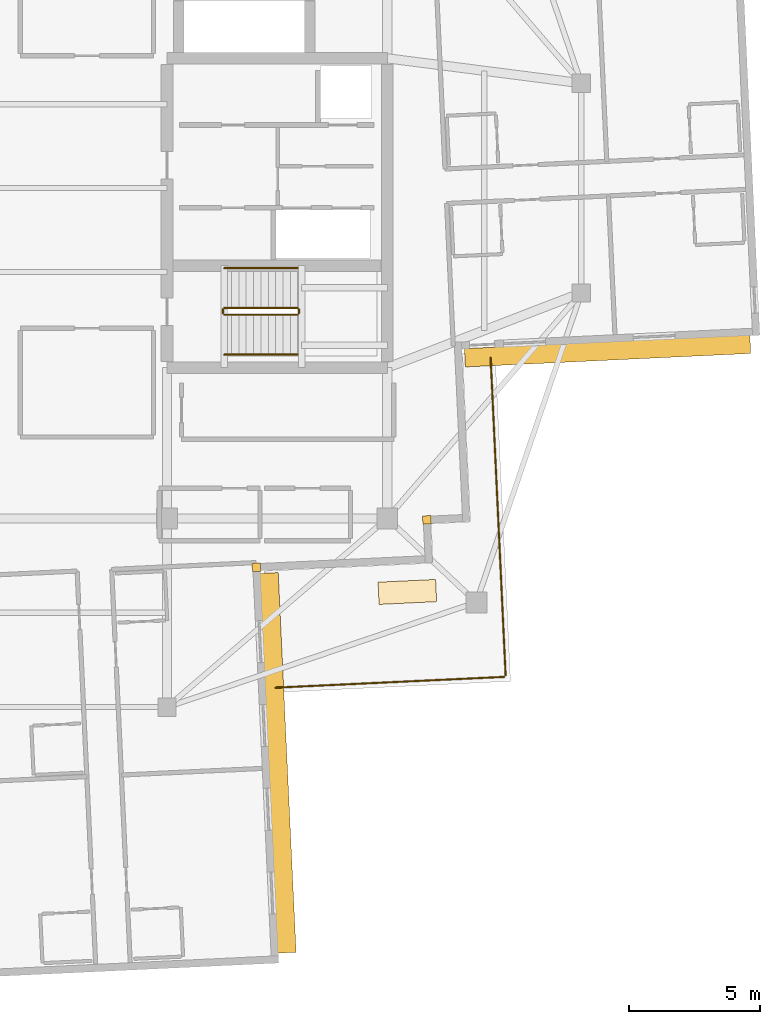
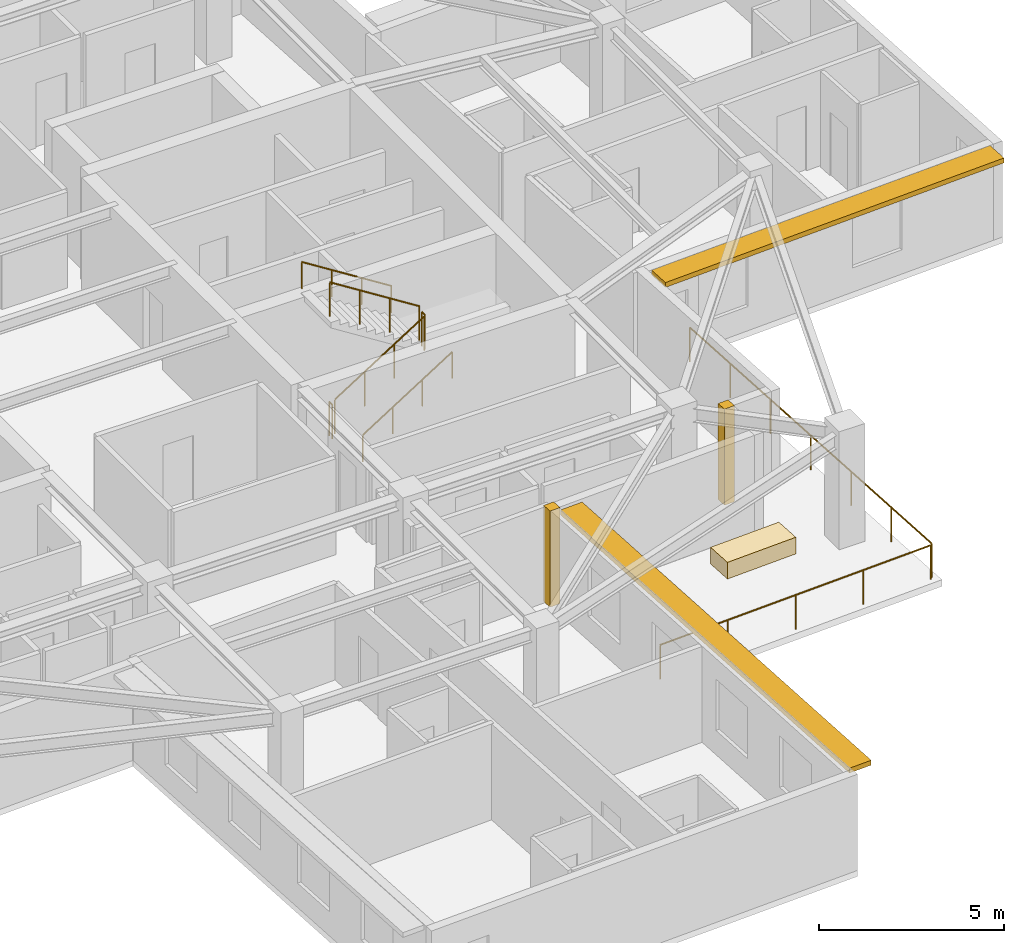
# One storey, part 11 of 13: 8 railings, 3 coverings, 2 shading devices.
"""IFC4 building model written with IfcOpenShell, lengths in metres."""

from ifc_helpers import new_model, si_unit, direction, frame, origin, origin_2d, place, context, subcontext, project, spatial, rectangle, circle, extrude, material, layer, layer_set, type_object, element, save


model = new_model("IFC4")

# Units and contexts
model_context = context("Model", 3, precision=1e-05, world=origin(), true_north=direction((0.0, 1.0)))
body_context = subcontext(model_context, "Body", "Model", "MODEL_VIEW")
ifc_project = project(units=[si_unit("LENGTHUNIT", "METRE"), si_unit("AREAUNIT", "SQUARE_METRE"), si_unit("VOLUMEUNIT", "CUBIC_METRE"), si_unit("PLANEANGLEUNIT", "RADIAN"), si_unit("MASSUNIT", "GRAM", prefix="KILO")], contexts=[model_context])

# Site, building, storey
site_placement = place(None, origin())
site = spatial("IfcSite", under=ifc_project, at=site_placement, CompositionType="ELEMENT")
building_placement = place(site_placement, origin())
building = spatial("IfcBuilding", under=site, at=building_placement, Name="Qingluan Cross Belvedere", CompositionType="ELEMENT")
storey_placement = place(building_placement, frame((0.0, 0.0, 277.199951171875)))
storey = spatial("IfcBuildingStorey", under=building, at=storey_placement, Name="L69", CompositionType="ELEMENT", Elevation=277.199951171875)

# Coverings
ifc_material_1 = material(Name="Precast concrete C45", Category="concrete")
ifc_layer_1 = layer(ifc_material_1, 0.1201171875, Name="ConcreteSpandrelCladding_120")
ifc_layer_set_1 = layer_set([ifc_layer_1], Name="Precast concrete C45")
covering_type_1 = type_object("IfcCoveringType", Name="ConcreteSpandrelCladding_120", PredefinedType="CLADDING", material=ifc_layer_set_1)
for number, where, z_axis, x_axis, name in (
    (1, (13.911865234375, -12.65869140625, 0.0), (0.0, 0.0, 1.0), (0.998889874962, 0.04710645071, 0.0), "Corner closure L69-SE1"),
    (2, (7.40966796875, -14.467041015625, 0.0), (0.0, 0.0, 1.0), (0.998889874962, 0.04710645071, 0.0), "Corner closure L69-SE2"),
):
    element("IfcCovering", number, at=place(storey_placement, frame(where, z_axis=z_axis, x_axis=x_axis)), inside=storey, type_object=covering_type_1, Name=name, PredefinedType="CLADDING", context=body_context, shape_type="SweptSolid", body=[
        extrude(rectangle(XDim=0.320068359375, YDim=0.320068359375, at=origin_2d()), origin(), (0.0, 0.0, 1.0), 3.179931640625),
    ])

# Shading devices
ifc_material_2 = material(Name="Precast concrete C45", Category="concrete")
ifc_layer_2 = layer(ifc_material_2, 0.139892578125, Name="ConcreteSunshadeBand_700")
ifc_layer_set_2 = layer_set([ifc_layer_2], Name="Precast concrete C45")
shading_device_type = type_object("IfcShadingDeviceType", Name="ConcreteSunshadeBand_700", PredefinedType="USERDEFINED", material=ifc_layer_set_2)
shading_device_1_placement = place(storey_placement, frame((20.805908203125, -6.216796875, 3.0), z_axis=(0.0, 0.0, 1.0), x_axis=(0.998889781456, 0.047108433452, 0.0)))
element("IfcShadingDevice", 3, at=shading_device_1_placement, inside=storey, type_object=shading_device_type, Name="Concrete SUNSHADE L69-EA", ObjectType="SUNSHADE", PredefinedType="USERDEFINED", context=body_context, shape_type="SweptSolid", body=[
    extrude(rectangle(XDim=10.89990234375, YDim=0.699951171875, at=origin_2d()), origin(), (0.0, 0.0, 1.0), 0.159912109375),
])
shading_device_2_placement = place(storey_placement, frame((8.23193359375, -21.926513671875, 3.0), z_axis=(0.0, 0.0, 1.0), x_axis=(-0.047109098032, 0.998889750114, 0.0)))
element("IfcShadingDevice", 4, at=shading_device_2_placement, inside=storey, type_object=shading_device_type, Name="Concrete SUNSHADE L69-SB", ObjectType="SUNSHADE", PredefinedType="USERDEFINED", context=body_context, shape_type="SweptSolid", body=[
    extrude(rectangle(XDim=14.5, YDim=0.699951171875, at=origin_2d()), origin(), (0.0, 0.0, 1.0), 0.159912109375),
])

# Railings
ifc_material_3 = material(Name="Brushed stainless steel tubular handrail", Category="steel")
railing_type_1 = type_object("IfcRailingType", Name="StairPitchHandrail_900", PredefinedType="HANDRAIL", material=ifc_material_3)
railing_1_placement = place(storey_placement, frame((6.179931640625, -6.35009765625, 0.17724609375)))
element("IfcRailing", 5, at=railing_1_placement, inside=storey, type_object=railing_type_1, Name="L69 ST2 stair handrail 1", PredefinedType="HANDRAIL", context=body_context, shape_type="SweptSolid", body=[
    extrude(circle(Radius=0.02392578125, at=origin_2d()), frame((0.0, 0.0, 0.8759765625), z_axis=(0.844908973607, 0.0, 0.534910110503), x_axis=(0.0, 1.0, 0.0)), (0.0, 0.0, 1.0), 3.31396484375),
    extrude(circle(Radius=0.02099609375, at=origin_2d()), origin(), (0.0, 0.0, 1.0), 0.851806640625),
    extrude(circle(Radius=0.02099609375, at=origin_2d()), frame((0.933349609375, 0.0, 0.5908203125)), (0.0, 0.0, 1.0), 0.851806640625),
    extrude(circle(Radius=0.02099609375, at=origin_2d()), frame((1.86669921875, 0.0, 1.181884765625)), (0.0, 0.0, 1.0), 0.851806640625),
    extrude(circle(Radius=0.02099609375, at=origin_2d()), frame((2.800048828125, 0.0, 1.772705078125)), (0.0, 0.0, 1.0), 0.851806640625),
])
railing_2_placement = place(storey_placement, frame((8.97998046875, -3.050048828125, 2.12744140625)))
element("IfcRailing", 6, at=railing_2_placement, inside=storey, type_object=railing_type_1, Name="L69 ST2 stair handrail 2", PredefinedType="HANDRAIL", context=body_context, shape_type="SweptSolid", body=[
    extrude(circle(Radius=0.02392578125, at=origin_2d()), frame((0.0, 0.0, 0.8759765625), z_axis=(-0.844908973607, 0.0, 0.534910110503), x_axis=(0.0, -1.0, 0.0)), (0.0, 0.0, 1.0), 3.31396484375),
    extrude(circle(Radius=0.02099609375, at=origin_2d()), origin(), (0.0, 0.0, 1.0), 0.851806640625),
    extrude(circle(Radius=0.02099609375, at=origin_2d()), frame((-0.933349609375, 0.0, 0.5908203125)), (0.0, 0.0, 1.0), 0.851806640625),
    extrude(circle(Radius=0.02099609375, at=origin_2d()), frame((-1.86669921875, 0.0, 1.181884765625)), (0.0, 0.0, 1.0), 0.851806640625),
    extrude(circle(Radius=0.02099609375, at=origin_2d()), frame((-2.800048828125, 0.0, 1.772705078125)), (0.0, 0.0, 1.0), 0.851806640625),
])
ifc_material_4 = material(Name="Painted steel stair well guard", Category="steel")
railing_type_2 = type_object("IfcRailingType", Name="StairWellGuard_1150", PredefinedType="BALUSTRADE", material=ifc_material_4)
railing_3_placement = place(storey_placement, frame((6.179931640625, -4.830078125, 0.17724609375)))
element("IfcRailing", 7, at=railing_3_placement, inside=storey, type_object=railing_type_2, Name="L69 ST2 stair guard 1", PredefinedType="BALUSTRADE", context=body_context, shape_type="SweptSolid", body=[
    extrude(circle(Radius=0.02392578125, at=origin_2d()), frame((0.0, 0.0, 1.1259765625), z_axis=(0.844908973607, 0.0, 0.534910110503), x_axis=(0.0, 1.0, 0.0)), (0.0, 0.0, 1.0), 3.31396484375),
    extrude(circle(Radius=0.02099609375, at=origin_2d()), origin(), (0.0, 0.0, 1.0), 1.101806640625),
    extrude(circle(Radius=0.02099609375, at=origin_2d()), frame((0.933349609375, 0.0, 0.5908203125)), (0.0, 0.0, 1.0), 1.101806640625),
    extrude(circle(Radius=0.02099609375, at=origin_2d()), frame((1.86669921875, 0.0, 1.181884765625)), (0.0, 0.0, 1.0), 1.101806640625),
    extrude(circle(Radius=0.02099609375, at=origin_2d()), frame((2.800048828125, 0.0, 1.772705078125)), (0.0, 0.0, 1.0), 1.101806640625),
])
railing_4_placement = place(storey_placement, frame((9.030029296875, -4.780029296875, 1.949951171875)))
element("IfcRailing", 8, at=railing_4_placement, inside=storey, type_object=railing_type_2, Name="L69 ST2 stair guard 2", PredefinedType="BALUSTRADE", context=body_context, shape_type="SweptSolid", body=[
    extrude(circle(Radius=0.02392578125, at=origin_2d()), frame((0.0, 0.0, 1.1259765625), z_axis=(0.0, 1.0, 0.0), x_axis=(-1.0, 0.0, 0.0)), (0.0, 0.0, 1.0), 0.159912109375),
    extrude(circle(Radius=0.02099609375, at=origin_2d()), origin(), (0.0, 0.0, 1.0), 1.101806640625),
    extrude(circle(Radius=0.02099609375, at=origin_2d()), frame((0.0, 0.159912109375, 0.0)), (0.0, 0.0, 1.0), 1.101806640625),
])
railing_5_placement = place(storey_placement, frame((8.97998046875, -4.570068359375, 2.12744140625)))
element("IfcRailing", 9, at=railing_5_placement, inside=storey, type_object=railing_type_2, Name="L69 ST2 stair guard 3", PredefinedType="BALUSTRADE", context=body_context, shape_type="SweptSolid", body=[
    extrude(circle(Radius=0.02392578125, at=origin_2d()), frame((0.0, 0.0, 1.1259765625), z_axis=(-0.844908973607, 0.0, 0.534910110503), x_axis=(0.0, -1.0, 0.0)), (0.0, 0.0, 1.0), 3.31396484375),
    extrude(circle(Radius=0.02099609375, at=origin_2d()), origin(), (0.0, 0.0, 1.0), 1.101806640625),
    extrude(circle(Radius=0.02099609375, at=origin_2d()), frame((-0.933349609375, 0.0, 0.5908203125)), (0.0, 0.0, 1.0), 1.101806640625),
    extrude(circle(Radius=0.02099609375, at=origin_2d()), frame((-1.86669921875, 0.0, 1.181884765625)), (0.0, 0.0, 1.0), 1.101806640625),
    extrude(circle(Radius=0.02099609375, at=origin_2d()), frame((-2.800048828125, 0.0, 1.772705078125)), (0.0, 0.0, 1.0), 1.101806640625),
])
railing_6_placement = place(storey_placement, frame((6.1298828125, -4.780029296875, 0.0)))
element("IfcRailing", 10, at=railing_6_placement, inside=storey, type_object=railing_type_2, Name="L69 ST2 stair guard 4", PredefinedType="BALUSTRADE", context=body_context, shape_type="SweptSolid", body=[
    extrude(circle(Radius=0.02392578125, at=origin_2d()), frame((0.0, 0.0, 1.1259765625), z_axis=(0.0, 1.0, 0.0), x_axis=(-1.0, 0.0, 0.0)), (0.0, 0.0, 1.0), 0.159912109375),
    extrude(circle(Radius=0.02099609375, at=origin_2d()), origin(), (0.0, 0.0, 1.0), 1.101806640625),
    extrude(circle(Radius=0.02099609375, at=origin_2d()), frame((0.0, 0.159912109375, 0.0)), (0.0, 0.0, 1.0), 1.101806640625),
])
ifc_material_5 = material(Name="Laminated glass and stainless steel balustrade", Category="steel")
railing_type_3 = type_object("IfcRailingType", Name="TerraceGuardBalustrade_1150", PredefinedType="BALUSTRADE", material=ifc_material_5)
railing_7_placement = place(storey_placement, frame((16.34326171875, -6.477294921875, 0.0)))
element("IfcRailing", 11, at=railing_7_placement, inside=storey, type_object=railing_type_3, Name="Terrace guard L69-1", PredefinedType="BALUSTRADE", context=body_context, shape_type="SweptSolid", body=[
    extrude(circle(Radius=0.02392578125, at=origin_2d()), frame((0.0, 0.0, 1.1259765625), z_axis=(0.047116284841, -0.998889411148, 0.0), x_axis=(0.998889411148, 0.047116284841, 0.0)), (0.0, 0.0, 1.0), 12.119873046875),
    extrude(circle(Radius=0.02099609375, at=origin_2d()), origin(), (0.0, 0.0, 1.0), 1.101806640625),
    extrude(circle(Radius=0.02099609375, at=origin_2d()), frame((0.09521484375, -2.017822265625, 0.0)), (0.0, 0.0, 1.0), 1.101806640625),
    extrude(circle(Radius=0.02099609375, at=origin_2d()), frame((0.1904296875, -4.035400390625, 0.0)), (0.0, 0.0, 1.0), 1.101806640625),
    extrude(circle(Radius=0.02099609375, at=origin_2d()), frame((0.28564453125, -6.05322265625, 0.0)), (0.0, 0.0, 1.0), 1.101806640625),
    extrude(circle(Radius=0.02099609375, at=origin_2d()), frame((0.380615234375, -8.071044921875, 0.0)), (0.0, 0.0, 1.0), 1.101806640625),
    extrude(circle(Radius=0.02099609375, at=origin_2d()), frame((0.475830078125, -10.088623046875, 0.0)), (0.0, 0.0, 1.0), 1.101806640625),
    extrude(circle(Radius=0.02099609375, at=origin_2d()), frame((0.571044921875, -12.1064453125, 0.0)), (0.0, 0.0, 1.0), 1.101806640625),
])
railing_8_placement = place(storey_placement, frame((16.857177734375, -18.646484375, 0.0)))
element("IfcRailing", 12, at=railing_8_placement, inside=storey, type_object=railing_type_3, Name="Terrace guard L69-2", PredefinedType="BALUSTRADE", context=body_context, shape_type="SweptSolid", body=[
    extrude(circle(Radius=0.02392578125, at=origin_2d()), frame((0.0, 0.0, 1.1259765625), z_axis=(-0.998889258033, -0.047119530839, 0.0), x_axis=(0.047119530839, -0.998889258033, 0.0)), (0.0, 0.0, 1.0), 8.72021484375),
    extrude(circle(Radius=0.02099609375, at=origin_2d()), origin(), (0.0, 0.0, 1.0), 1.101806640625),
    extrude(circle(Radius=0.02099609375, at=origin_2d()), frame((-2.177734375, -0.102783203125, 0.0)), (0.0, 0.0, 1.0), 1.101806640625),
    extrude(circle(Radius=0.02099609375, at=origin_2d()), frame((-4.355224609375, -0.20556640625, 0.0)), (0.0, 0.0, 1.0), 1.101806640625),
    extrude(circle(Radius=0.02099609375, at=origin_2d()), frame((-6.53271484375, -0.30810546875, 0.0)), (0.0, 0.0, 1.0), 1.101806640625),
    extrude(circle(Radius=0.02099609375, at=origin_2d()), frame((-8.71044921875, -0.410888671875, 0.0)), (0.0, 0.0, 1.0), 1.101806640625),
])

# Covering
ifc_material_6 = material(Name="Precast concrete C40", Category="concrete")
ifc_layer_3 = layer(ifc_material_6, 0.550048828125, Name="TerracePlanterBox")
ifc_layer_set_3 = layer_set([ifc_layer_3], Name="Precast concrete C40")
covering_type_2 = type_object("IfcCoveringType", Name="TerracePlanterBox", PredefinedType="USERDEFINED", material=ifc_layer_set_3)
covering_placement = place(storey_placement, frame((13.166015625, -15.406005859375, 0.0), z_axis=(0.0, 0.0, 1.0), x_axis=(0.998889874962, 0.04710645071, 0.0)))
element("IfcCovering", 13, at=covering_placement, inside=storey, type_object=covering_type_2, Name="Spiralling winter-garden planter L69", ObjectType="PLANTER", PredefinedType="USERDEFINED", context=body_context, shape_type="SweptSolid", body=[
    extrude(rectangle(XDim=2.199951171875, YDim=0.85009765625, at=origin_2d()), origin(), (0.0, 0.0, 1.0), 0.550048828125),
])

save(model, "model.ifc")
